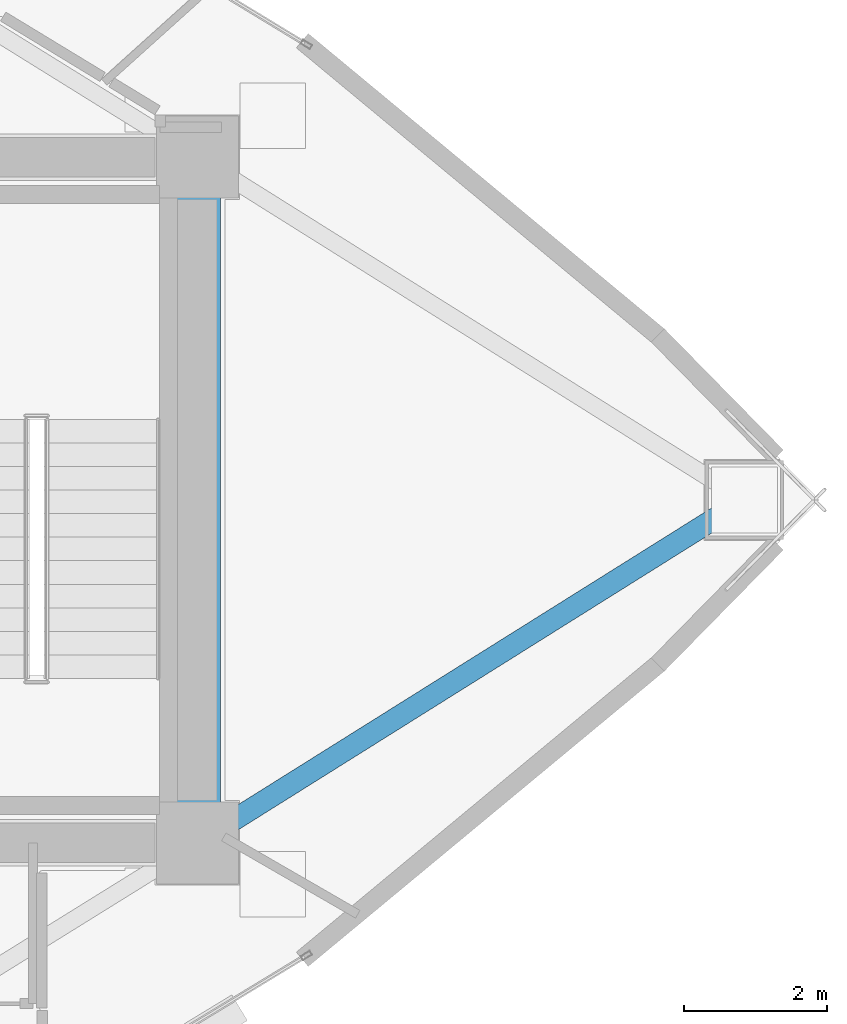
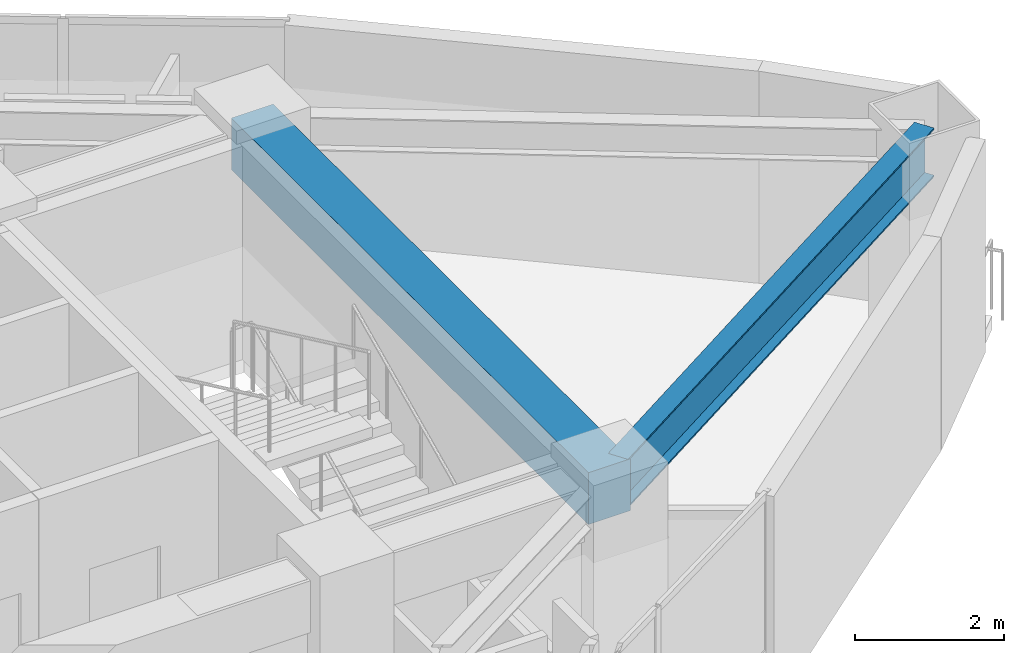
# One storey, part 6 of 15: 2 beams.
"""IFC4 building model written with IfcOpenShell, lengths in metres."""

from ifc_helpers import new_model, si_unit, direction, frame, origin, origin_2d, place, context, subcontext, project, spatial, rectangle, i_section, extrude, material, material_profile, profile_set, type_object, element, save


model = new_model("IFC4")

# Units and contexts
model_context = context("Model", 3, precision=1e-05, world=origin(), true_north=direction((0.0, 1.0)))
body_context = subcontext(model_context, "Body", "Model", "MODEL_VIEW")
ifc_project = project(units=[si_unit("LENGTHUNIT", "METRE"), si_unit("AREAUNIT", "SQUARE_METRE"), si_unit("VOLUMEUNIT", "CUBIC_METRE"), si_unit("PLANEANGLEUNIT", "RADIAN"), si_unit("MASSUNIT", "GRAM", prefix="KILO")], contexts=[model_context])

# Site, building, storey
site_placement = place(None, origin())
site = spatial("IfcSite", under=ifc_project, at=site_placement, CompositionType="ELEMENT")
building_placement = place(site_placement, origin())
building = spatial("IfcBuilding", under=site, at=building_placement, Name="Menara Vayukalpa", CompositionType="ELEMENT")
storey_placement = place(building_placement, frame((0.0, 0.0, 137.4599609375)))
storey = spatial("IfcBuildingStorey", under=building, at=storey_placement, Name="L34", CompositionType="ELEMENT", Elevation=137.4599609375)

# Beams
ifc_material_1 = material(Name="Concrete C60/75", Category="concrete")
ifc_material_profile_1 = material_profile(ifc_material_1, rectangle(XDim=0.64990234375, YDim=0.85009765625, at=origin_2d()), Name="RC 650x850")
ifc_profile_set_1 = profile_set([ifc_material_profile_1], Name="Concrete C60/75")
beam_type_1 = type_object("IfcBeamType", Name="BM-CB1", PredefinedType="BEAM", material=ifc_profile_set_1)
beam_1_placement = place(storey_placement, frame((33.39990234375, 17.199951171875, 3.074951171875), z_axis=(0.0, 1.0, 0.0), x_axis=(-1.0, 0.0, 0.0)))
element("IfcBeam", 1, at=beam_1_placement, inside=storey, type_object=beam_type_1, Name="L34 Core Tie Beam CBR8", PredefinedType="BEAM", context=body_context, shape_type="SweptSolid", body=[
    extrude(rectangle(XDim=0.64990234375, YDim=0.85009765625, at=origin_2d()), origin(), (0.0, 0.0, 1.0), 9.60009765625),
])
ifc_material_2 = material(Name="Steel S355", Category="steel")
ifc_material_profile_2 = material_profile(ifc_material_2, i_section(OverallWidth=0.300048828125, OverallDepth=0.800048828125, WebThickness=0.013916015625, FlangeThickness=0.02587890625, at=origin_2d()), Name="WF 800x300x14x26")
ifc_profile_set_2 = profile_set([ifc_material_profile_2], Name="Steel S355")
beam_type_2 = type_object("IfcBeamType", Name="BM-PG3", PredefinedType="BEAM", material=ifc_profile_set_2)
beam_2_placement = place(storey_placement, frame((33.61181640625, 17.332763671875, 3.10009765625), z_axis=(0.847348467727, 0.531037262573, 0.0), x_axis=(-0.531037262573, 0.847348467727, 0.0)))
element("IfcBeam", 2, at=beam_2_placement, inside=storey, type_object=beam_type_2, Name="L34 Primary Radial Girder RG01", PredefinedType="BEAM", context=body_context, shape_type="SweptSolid", body=[
    extrude(i_section(OverallWidth=0.300048828125, OverallDepth=0.800048828125, WebThickness=0.013916015625, FlangeThickness=0.02587890625, at=origin_2d()), origin(), (0.0, 0.0, 1.0), 8.788818359375),
])

save(model, "model.ifc")
